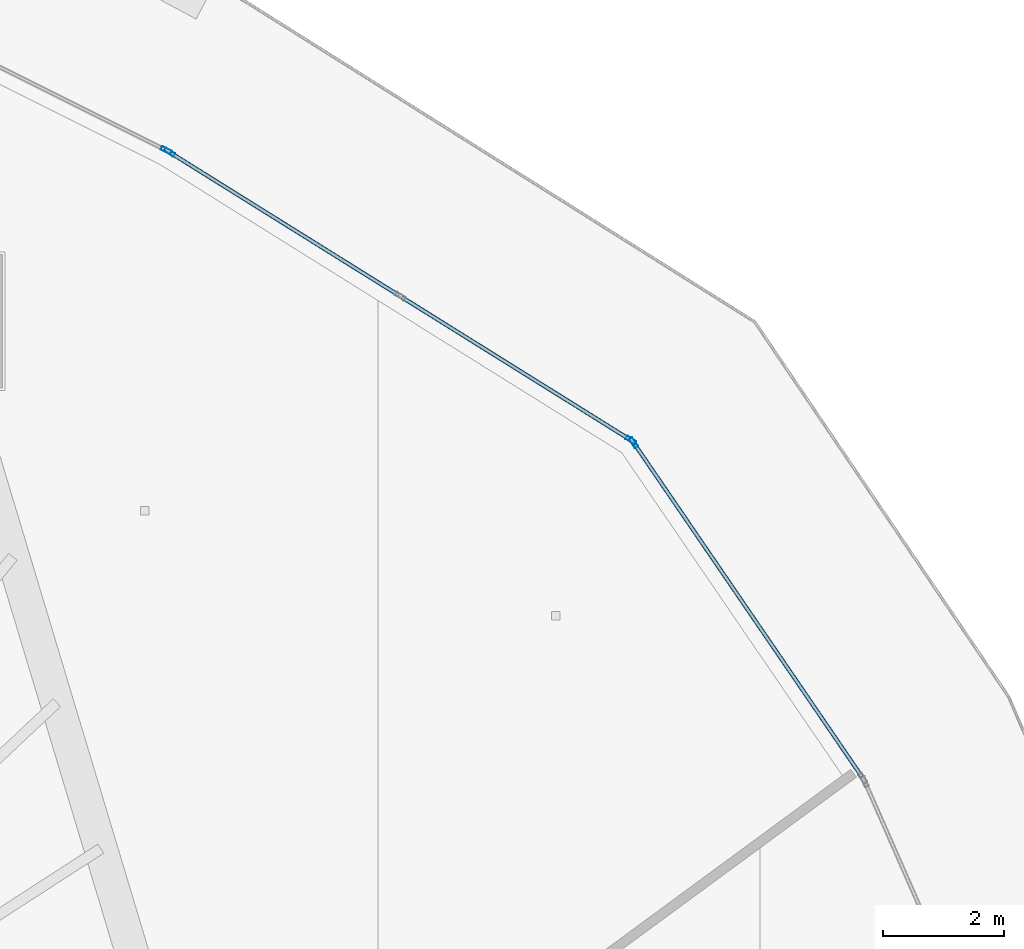
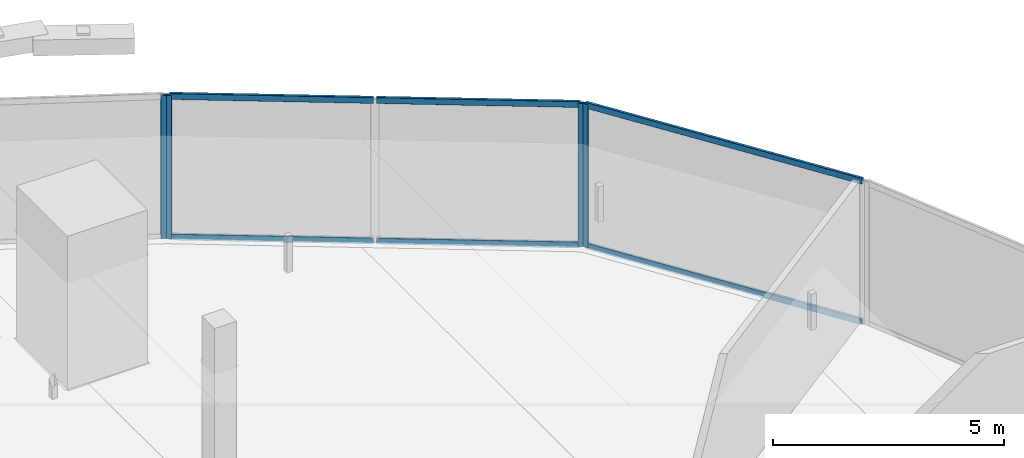
# One storey, part 23 of 38: 10 members, 3 elements without a shape of their own.
"""IFC4 building model written with IfcOpenShell, lengths in metres."""

from ifc_helpers import new_model, si_unit, direction, frame, origin, origin_2d, place, context, subcontext, project, spatial, hollow_rectangle, extrude, material, layer, layer_set, material_profile, profile_set, type_object, element, aggregate, save


model = new_model("IFC4")

# Units and contexts
model_context = context("Model", 3, precision=1e-05, world=origin(), true_north=direction((0.0, 1.0)))
body_context = subcontext(model_context, "Body", "Model", "MODEL_VIEW")
ifc_project = project(units=[si_unit("LENGTHUNIT", "METRE"), si_unit("AREAUNIT", "SQUARE_METRE"), si_unit("VOLUMEUNIT", "CUBIC_METRE"), si_unit("PLANEANGLEUNIT", "RADIAN"), si_unit("MASSUNIT", "GRAM", prefix="KILO")], contexts=[model_context])

# Site, building, storey
site_placement = place(None, origin())
site = spatial("IfcSite", under=ifc_project, at=site_placement, CompositionType="ELEMENT")
building_placement = place(site_placement, origin())
building = spatial("IfcBuilding", under=site, at=building_placement, Name="Qorvath Tower", CompositionType="ELEMENT")
storey_placement = place(building_placement, frame((0.0, 0.0, 134.10009765625)))
storey = spatial("IfcBuildingStorey", under=building, at=storey_placement, Name="L30", CompositionType="ELEMENT", Elevation=134.10009765625)

# Curtain wall, member
ifc_material_1 = material(Name="Anodised aluminium and triple low-E glass", Category="aluminium")
ifc_layer = layer(ifc_material_1, 0.179931640625)
ifc_layer_set = layer_set([ifc_layer], Name="CW-SYS-3")
curtain_wall_type = type_object("IfcCurtainWallType", Name="CW-SYS-3", PredefinedType="NOTDEFINED", material=ifc_layer_set)
curtain_wall_1_placement = place(storey_placement, origin())
curtain_wall_1 = element("IfcCurtainWall", 1, at=curtain_wall_1_placement, inside=storey, type_object=curtain_wall_type, Name="Curtain Wall CW-3 CW-T-L30-13.1", PredefinedType="NOTDEFINED")
ifc_material_2 = material(Name="Anodised aluminium 6063-T6", Category="aluminium")
ifc_material_profile_1 = material_profile(ifc_material_2, hollow_rectangle(XDim=0.06494140625, YDim=0.179931640625, WallThickness=0.00341796875, InnerFilletRadius=0.00341796875, OuterFilletRadius=0.007080078125, at=origin_2d()), Name="CWM 180x65")
ifc_profile_set_1 = profile_set([ifc_material_profile_1], Name="Anodised aluminium 6063-T6")
member_type_1 = type_object("IfcMemberType", Name="CWM-180", PredefinedType="MULLION", material=ifc_profile_set_1)
member_1_placement = place(storey_placement, frame((-3.928955078125, 23.2373046875, 0.0), z_axis=(0.0, 0.0, 1.0), x_axis=(-0.825622735214, -0.56422256167, 0.0)))
member_1 = element("IfcMember", 2, at=member_1_placement, type_object=member_type_1, Name="CW-3 mullion 2", PredefinedType="MULLION", context=body_context, shape_type="SweptSolid", body=[
    extrude(hollow_rectangle(XDim=0.06494140625, YDim=0.179931640625, WallThickness=0.00341796875, InnerFilletRadius=0.00341796875, OuterFilletRadius=0.007080078125, at=origin_2d()), origin(), (0.0, 0.0, 1.0), 3.77978515625),
])

# Curtain wall, members
curtain_wall_2_placement = place(storey_placement, origin())
curtain_wall_2 = element("IfcCurtainWall", 3, at=curtain_wall_2_placement, inside=storey, type_object=curtain_wall_type, Name="Curtain Wall CW-3 CW-T-L30-14.1", PredefinedType="NOTDEFINED")
member_2_placement = place(storey_placement, frame((-3.974853515625, 23.281494140625, 0.0), z_axis=(0.0, 0.0, 1.0), x_axis=(-0.529439947431, -0.848347418258, 0.0)))
member_2 = element("IfcMember", 4, at=member_2_placement, type_object=member_type_1, Name="CW-3 mullion 1", PredefinedType="MULLION", context=body_context, shape_type="SweptSolid", body=[
    extrude(hollow_rectangle(XDim=0.06494140625, YDim=0.179931640625, WallThickness=0.00341796875, InnerFilletRadius=0.00341796875, OuterFilletRadius=0.007080078125, at=origin_2d()), origin(), (0.0, 0.0, 1.0), 3.77978515625),
])
member_3_placement = place(storey_placement, frame((-11.587890625, 28.03271484375, 0.0), z_axis=(0.0, 0.0, 1.0), x_axis=(-0.529439947431, -0.848347418258, 0.0)))
member_3 = element("IfcMember", 5, at=member_3_placement, type_object=member_type_1, Name="CW-3 mullion 3", PredefinedType="MULLION", context=body_context, shape_type="SweptSolid", body=[
    extrude(hollow_rectangle(XDim=0.06494140625, YDim=0.179931640625, WallThickness=0.00341796875, InnerFilletRadius=0.00341796875, OuterFilletRadius=0.007080078125, at=origin_2d()), origin(), (0.0, 0.0, 1.0), 3.77978515625),
])

# Curtain wall, member
curtain_wall_3_placement = place(storey_placement, origin())
curtain_wall_3 = element("IfcCurtainWall", 6, at=curtain_wall_3_placement, inside=storey, type_object=curtain_wall_type, Name="Curtain Wall CW-3 CW-T-L30-15.1", PredefinedType="NOTDEFINED")
member_4_placement = place(storey_placement, frame((-11.64453125, 28.064453125, 0.0), z_axis=(0.0, 0.0, 1.0), x_axis=(-0.447213595499, -0.894427191001, 0.0)))
member_4 = element("IfcMember", 7, at=member_4_placement, type_object=member_type_1, Name="CW-3 mullion 1", PredefinedType="MULLION", context=body_context, shape_type="SweptSolid", body=[
    extrude(hollow_rectangle(XDim=0.06494140625, YDim=0.179931640625, WallThickness=0.00341796875, InnerFilletRadius=0.00341796875, OuterFilletRadius=0.007080078125, at=origin_2d()), origin(), (0.0, 0.0, 1.0), 3.77978515625),
])
aggregate(curtain_wall_3, [member_4])

# Member
ifc_material_3 = material(Name="Anodised aluminium 6063-T6", Category="aluminium")
ifc_material_profile_2 = material_profile(ifc_material_3, hollow_rectangle(XDim=0.06494140625, YDim=0.159912109375, WallThickness=0.00341796875, InnerFilletRadius=0.00341796875, OuterFilletRadius=0.007080078125, at=origin_2d()), Name="CWT 160x65")
ifc_profile_set_2 = profile_set([ifc_material_profile_2], Name="Anodised aluminium 6063-T6")
member_type_2 = type_object("IfcMemberType", Name="CWT-160", PredefinedType="USERDEFINED", material=ifc_profile_set_2)
member_5_placement = place(storey_placement, frame((-0.16455078125, 17.72900390625, 0.032470703125), z_axis=(-0.564235625395, 0.82561380744, 0.0), x_axis=(-0.82561380744, -0.564235625395, 0.0)))
member_5 = element("IfcMember", 8, at=member_5_placement, type_object=member_type_2, Name="CW-3 transom 1.1", ObjectType="TRANSOM", PredefinedType="USERDEFINED", context=body_context, shape_type="SweptSolid", body=[
    extrude(hollow_rectangle(XDim=0.06494140625, YDim=0.159912109375, WallThickness=0.00341796875, InnerFilletRadius=0.00341796875, OuterFilletRadius=0.007080078125, at=origin_2d()), origin(), (0.0, 0.0, 1.0), 6.63916015625),
])

member_6_placement = place(storey_placement, frame((-0.16455078125, 17.72900390625, 3.747314453125), z_axis=(-0.564235625395, 0.82561380744, 0.0), x_axis=(-0.82561380744, -0.564235625395, 0.0)))
member_6 = element("IfcMember", 9, at=member_6_placement, type_object=member_type_2, Name="CW-3 transom 1.2", ObjectType="TRANSOM", PredefinedType="USERDEFINED", context=body_context, shape_type="SweptSolid", body=[
    extrude(hollow_rectangle(XDim=0.06494140625, YDim=0.159912109375, WallThickness=0.00341796875, InnerFilletRadius=0.00341796875, OuterFilletRadius=0.007080078125, at=origin_2d()), origin(), (0.0, 0.0, 1.0), 6.63916015625),
])

aggregate(curtain_wall_1, [member_1, member_5, member_6])

member_7_placement = place(storey_placement, frame((-4.00244140625, 23.298583984375, 0.032470703125), z_axis=(-0.848339306636, 0.529452944855, 0.0), x_axis=(-0.529452944855, -0.848339306636, 0.0)))
member_7 = element("IfcMember", 10, at=member_7_placement, type_object=member_type_2, Name="CW-3 transom 1.1", ObjectType="TRANSOM", PredefinedType="USERDEFINED", context=body_context, shape_type="SweptSolid", body=[
    extrude(hollow_rectangle(XDim=0.06494140625, YDim=0.159912109375, WallThickness=0.00341796875, InnerFilletRadius=0.00341796875, OuterFilletRadius=0.007080078125, at=origin_2d()), origin(), (0.0, 0.0, 1.0), 4.422119140625),
])

member_8_placement = place(storey_placement, frame((-4.00244140625, 23.298583984375, 3.747314453125), z_axis=(-0.848339306636, 0.529452944855, 0.0), x_axis=(-0.529452944855, -0.848339306636, 0.0)))
member_8 = element("IfcMember", 11, at=member_8_placement, type_object=member_type_2, Name="CW-3 transom 1.2", ObjectType="TRANSOM", PredefinedType="USERDEFINED", context=body_context, shape_type="SweptSolid", body=[
    extrude(hollow_rectangle(XDim=0.06494140625, YDim=0.159912109375, WallThickness=0.00341796875, InnerFilletRadius=0.00341796875, OuterFilletRadius=0.007080078125, at=origin_2d()), origin(), (0.0, 0.0, 1.0), 4.422119140625),
])

member_9_placement = place(storey_placement, frame((-7.80908203125, 25.67431640625, 0.032470703125), z_axis=(-0.848348628419, 0.529438008325, 0.0), x_axis=(-0.529438008325, -0.848348628419, 0.0)))
member_9 = element("IfcMember", 12, at=member_9_placement, type_object=member_type_2, Name="CW-3 transom 2.1", ObjectType="TRANSOM", PredefinedType="USERDEFINED", context=body_context, shape_type="SweptSolid", body=[
    extrude(hollow_rectangle(XDim=0.06494140625, YDim=0.159912109375, WallThickness=0.00341796875, InnerFilletRadius=0.00341796875, OuterFilletRadius=0.007080078125, at=origin_2d()), origin(), (0.0, 0.0, 1.0), 4.421875),
])

member_10_placement = place(storey_placement, frame((-7.80908203125, 25.67431640625, 3.747314453125), z_axis=(-0.848348628419, 0.529438008325, 0.0), x_axis=(-0.529438008325, -0.848348628419, 0.0)))
member_10 = element("IfcMember", 13, at=member_10_placement, type_object=member_type_2, Name="CW-3 transom 2.2", ObjectType="TRANSOM", PredefinedType="USERDEFINED", context=body_context, shape_type="SweptSolid", body=[
    extrude(hollow_rectangle(XDim=0.06494140625, YDim=0.159912109375, WallThickness=0.00341796875, InnerFilletRadius=0.00341796875, OuterFilletRadius=0.007080078125, at=origin_2d()), origin(), (0.0, 0.0, 1.0), 4.421875),
])

aggregate(curtain_wall_2, [member_2, member_3, member_7, member_8, member_9, member_10])

save(model, "model.ifc")
